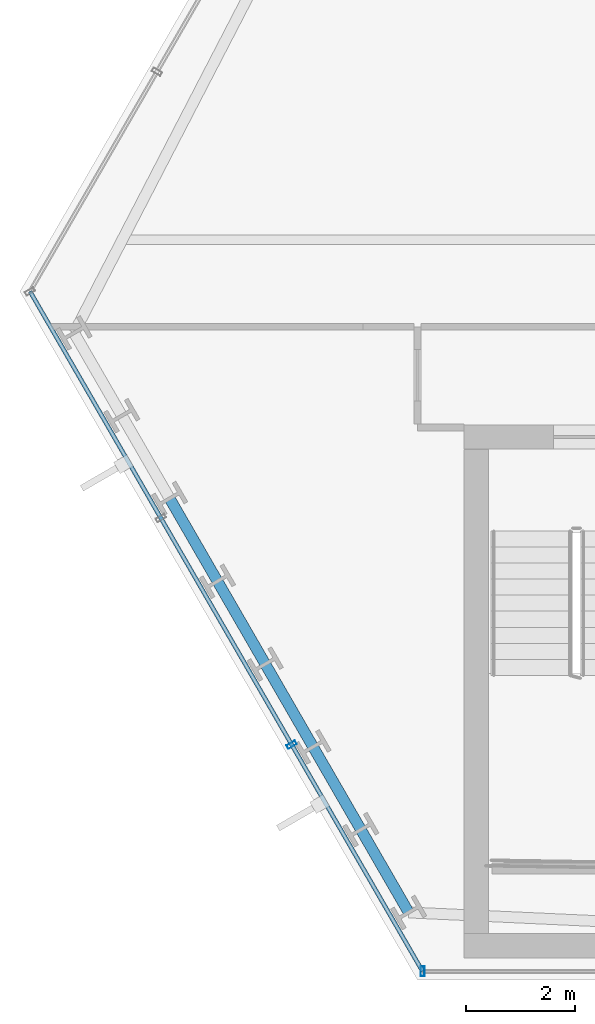
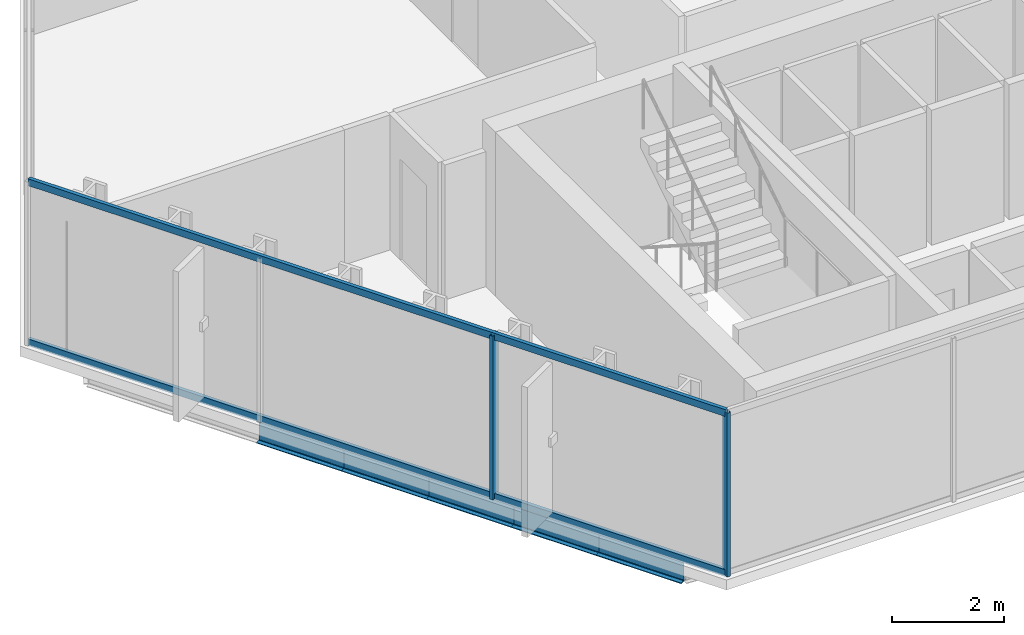
# One storey, part 2 of 33: 5 beams, 4 members, 2 elements without a shape of their own.
"""IFC4 building model written with IfcOpenShell, lengths in metres."""

from ifc_helpers import new_model, si_unit, direction, frame, origin, origin_2d, place, context, subcontext, project, spatial, hollow_rectangle, i_section, extrude, material, layer, layer_set, material_profile, profile_set, type_object, element, aggregate, save


model = new_model("IFC4")

# Units and contexts
model_context = context("Model", 3, precision=1e-05, world=origin(), true_north=direction((0.0, 1.0)))
body_context = subcontext(model_context, "Body", "Model", "MODEL_VIEW")
ifc_project = project(units=[si_unit("LENGTHUNIT", "METRE"), si_unit("AREAUNIT", "SQUARE_METRE"), si_unit("VOLUMEUNIT", "CUBIC_METRE"), si_unit("PLANEANGLEUNIT", "RADIAN"), si_unit("MASSUNIT", "GRAM", prefix="KILO")], contexts=[model_context])

# Site, building, storey
site_placement = place(None, origin())
site = spatial("IfcSite", under=ifc_project, at=site_placement, CompositionType="ELEMENT")
building_placement = place(site_placement, origin())
building = spatial("IfcBuilding", under=site, at=building_placement, Name="Ndaravel Arena Tower", CompositionType="ELEMENT")
storey_placement = place(building_placement, frame((0.0, 0.0, 85.39990234375)))
storey = spatial("IfcBuildingStorey", under=building, at=storey_placement, Name="L19", CompositionType="ELEMENT", Elevation=85.39990234375)

# Beams
ifc_material_1 = material(Name="Steel S355", Category="steel")
ifc_material_profile_1 = material_profile(ifc_material_1, i_section(OverallWidth=0.199951171875, OverallDepth=0.5, WebThickness=0.01025390625, FlangeThickness=0.01611328125, FilletRadius=0.02099609375, at=origin_2d()), Name="IPE 500")
ifc_profile_set_1 = profile_set([ifc_material_profile_1], Name="Steel S355")
beam_type = type_object("IfcBeamType", Name="BM-SPAN-IPE500", PredefinedType="SPANDREL", material=ifc_profile_set_1)
beam_1_placement = place(storey_placement, frame((21.0458984375, 13.845458984375, -0.469970703125), z_axis=(0.500115484592, -0.865958718457, 0.0), x_axis=(0.865958718457, 0.500115484592, 0.0)))
element("IfcBeam", 1, at=beam_1_placement, inside=storey, type_object=beam_type, Name="L19 Perimeter Spandrel Beam SP-22", PredefinedType="SPANDREL", context=body_context, shape_type="SweptSolid", body=[
    extrude(i_section(OverallWidth=0.199951171875, OverallDepth=0.5, WebThickness=0.01025390625, FlangeThickness=0.01611328125, FilletRadius=0.02099609375, at=origin_2d()), origin(), (0.0, 0.0, 1.0), 1.75634765625),
])
beam_2_placement = place(storey_placement, frame((21.92431640625, 12.324462890625, -0.469970703125), z_axis=(0.49990697594, -0.86607910459, 0.0), x_axis=(0.86607910459, 0.49990697594, 0.0)))
element("IfcBeam", 2, at=beam_2_placement, inside=storey, type_object=beam_type, Name="L19 Perimeter Spandrel Beam SP-23", PredefinedType="SPANDREL", context=body_context, shape_type="SweptSolid", body=[
    extrude(i_section(OverallWidth=0.199951171875, OverallDepth=0.5, WebThickness=0.01025390625, FlangeThickness=0.01611328125, FilletRadius=0.02099609375, at=origin_2d()), origin(), (0.0, 0.0, 1.0), 1.756103515625),
])
for number, where, z_axis, x_axis, name in (
    (3, (22.80224609375, 10.803466796875, -0.469970703125), (0.500011241135, -0.866018913615, 0.0), (0.866018913615, 0.500011241135, 0.0), "L19 Perimeter Spandrel Beam SP-24"),
    (4, (23.680419921875, 9.282470703125, -0.469970703125), (0.500011241135, -0.866018913615, 0.0), (0.866018913615, 0.500011241135, 0.0), "L19 Perimeter Spandrel Beam SP-25"),
    (5, (24.55859375, 7.761474609375, -0.469970703125), (0.500011241135, -0.866018913615, 0.0), (0.866018913615, 0.500011241135, 0.0), "L19 Perimeter Spandrel Beam SP-26"),
):
    element("IfcBeam", number, at=place(storey_placement, frame(where, z_axis=z_axis, x_axis=x_axis)), inside=storey, type_object=beam_type, Name=name, PredefinedType="SPANDREL", context=body_context, shape_type="SweptSolid", body=[
        extrude(i_section(OverallWidth=0.199951171875, OverallDepth=0.5, WebThickness=0.01025390625, FlangeThickness=0.01611328125, FilletRadius=0.02099609375, at=origin_2d()), origin(), (0.0, 0.0, 1.0), 1.75634765625),
    ])

# Curtain wall, member
ifc_material_2 = material(Name="Aluminium", Category="aluminium")
ifc_layer_1 = layer(ifc_material_2, 0.179931640625)
ifc_layer_set_1 = layer_set([ifc_layer_1], Name="Aluminium")
curtain_wall_type_1 = type_object("IfcCurtainWallType", Name="CW-SYS-03", PredefinedType="NOTDEFINED", material=ifc_layer_set_1)
curtain_wall_1_placement = place(storey_placement, origin())
curtain_wall_1 = element("IfcCurtainWall", 6, at=curtain_wall_1_placement, inside=storey, type_object=curtain_wall_type_1, Name="L19 Faceted Crystal Curtain Wall CW-L19-E01", PredefinedType="NOTDEFINED")
ifc_material_3 = material(Name="Aluminium", Category="aluminium")
ifc_material_profile_2 = material_profile(ifc_material_3, hollow_rectangle(XDim=0.074951171875, YDim=0.179931640625, WallThickness=0.00390625, at=origin_2d()), Name="CW MULLION 75x180x4")
ifc_profile_set_2 = profile_set([ifc_material_profile_2], Name="Aluminium")
member_type_1 = type_object("IfcMemberType", Name="MEM-CW-MUL180", PredefinedType="MULLION", material=ifc_profile_set_2)
member_1_placement = place(storey_placement, frame((25.691162109375, 5.159912109375, 0.0), z_axis=(0.0, 0.0, 1.0), x_axis=(1.0, 0.0, 0.0)))
member_1 = element("IfcMember", 7, at=member_1_placement, type_object=member_type_1, Name="CW-L19-E01 Mullion 00", PredefinedType="MULLION", context=body_context, shape_type="SweptSolid", body=[
    extrude(hollow_rectangle(XDim=0.074951171875, YDim=0.179931640625, WallThickness=0.00390625, at=origin_2d()), origin(), (0.0, 0.0, 1.0), 3.580078125),
])
aggregate(curtain_wall_1, [member_1])

# Curtain wall, members
ifc_material_4 = material(Name="Aluminium", Category="aluminium")
ifc_layer_2 = layer(ifc_material_4, 0.179931640625)
ifc_layer_set_2 = layer_set([ifc_layer_2], Name="Aluminium")
curtain_wall_type_2 = type_object("IfcCurtainWallType", Name="CW-SYS-02", PredefinedType="NOTDEFINED", material=ifc_layer_set_2)
curtain_wall_2_placement = place(storey_placement, origin())
curtain_wall_2 = element("IfcCurtainWall", 8, at=curtain_wall_2_placement, inside=storey, type_object=curtain_wall_type_2, Name="L19 Faceted Crystal Curtain Wall CW-L19-E06", PredefinedType="NOTDEFINED")
member_2_placement = place(storey_placement, frame((23.287841796875, 9.322509765625, 0.0), z_axis=(0.0, 0.0, 1.0), x_axis=(0.5, -0.866025403784, 0.0)))
member_2 = element("IfcMember", 9, at=member_2_placement, type_object=member_type_1, Name="CW-L19-E06 Mullion 02", PredefinedType="MULLION", context=body_context, shape_type="SweptSolid", body=[
    extrude(hollow_rectangle(XDim=0.074951171875, YDim=0.179931640625, WallThickness=0.00390625, at=origin_2d()), origin(), (0.0, 0.0, 1.0), 3.580078125),
])
ifc_material_5 = material(Name="Aluminium", Category="aluminium")
ifc_material_profile_3 = material_profile(ifc_material_5, hollow_rectangle(XDim=0.074951171875, YDim=0.14990234375, WallThickness=0.00390625, at=origin_2d()), Name="CW TRANSOM 75x150x4")
ifc_profile_set_3 = profile_set([ifc_material_profile_3], Name="Aluminium")
member_type_2 = type_object("IfcMemberType", Name="MEM-CW-TRN150", PredefinedType="USERDEFINED", material=ifc_profile_set_3)
member_3_placement = place(storey_placement, frame((18.481201171875, 17.64794921875, 0.0400390625), z_axis=(0.499999446118, -0.866025723568, 0.0), x_axis=(0.866025723568, 0.499999446118, 0.0)))
member_3 = element("IfcMember", 10, at=member_3_placement, type_object=member_type_2, Name="CW-L19-E06 Transom 01", ObjectType="TRANSOM", PredefinedType="USERDEFINED", context=body_context, shape_type="SweptSolid", body=[
    extrude(hollow_rectangle(XDim=0.074951171875, YDim=0.14990234375, WallThickness=0.00390625, at=origin_2d()), origin(), (0.0, 0.0, 1.0), 14.419921875),
])
member_4_placement = place(storey_placement, frame((18.481201171875, 17.64794921875, 3.5400390625), z_axis=(0.499999446118, -0.866025723568, 0.0), x_axis=(0.866025723568, 0.499999446118, 0.0)))
member_4 = element("IfcMember", 11, at=member_4_placement, type_object=member_type_2, Name="CW-L19-E06 Transom 02", ObjectType="TRANSOM", PredefinedType="USERDEFINED", context=body_context, shape_type="SweptSolid", body=[
    extrude(hollow_rectangle(XDim=0.074951171875, YDim=0.14990234375, WallThickness=0.00390625, at=origin_2d()), origin(), (0.0, 0.0, 1.0), 14.419921875),
])
aggregate(curtain_wall_2, [member_2, member_3, member_4])

save(model, "model.ifc")
